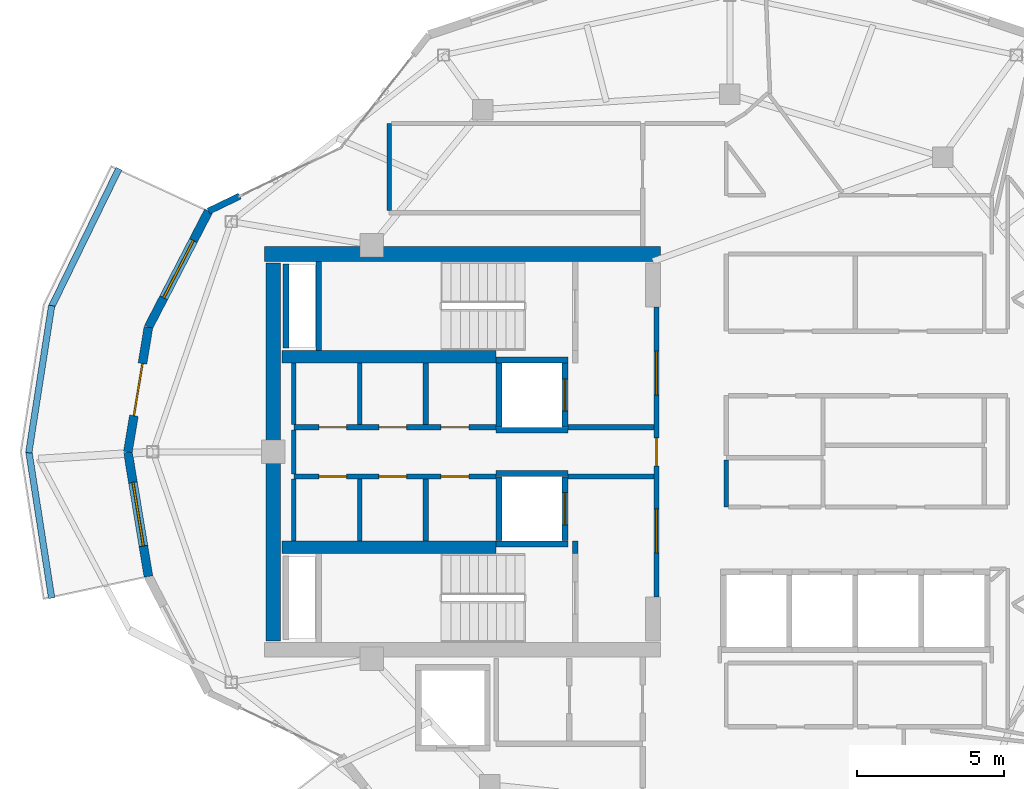
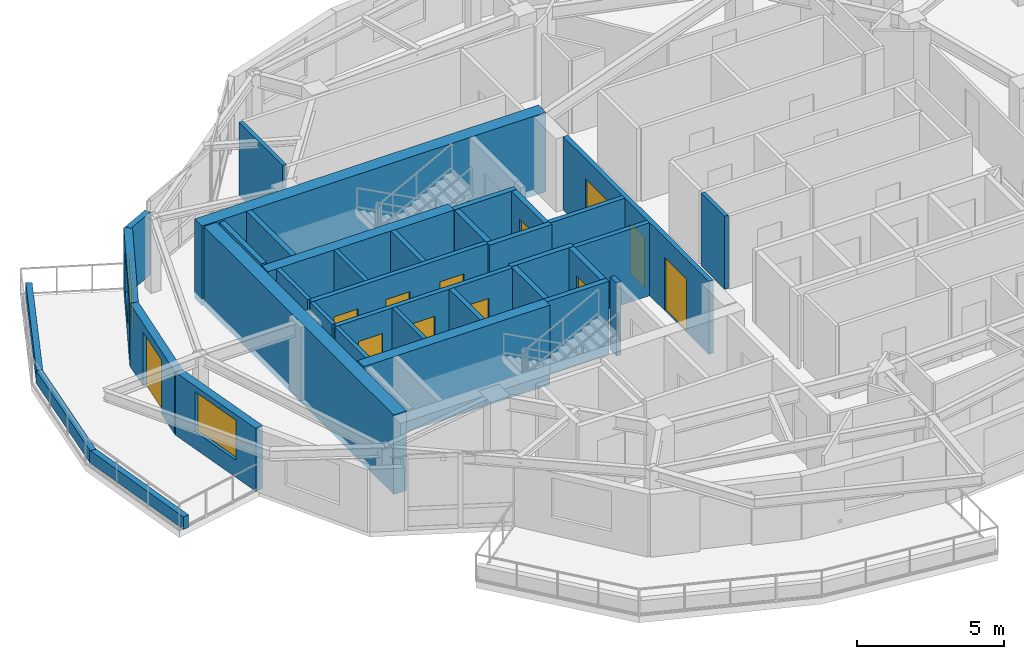
# One storey, part 9 of 14: 36 walls, 12 doors, 2 windows, 14 openings.
"""IFC4 building model written with IfcOpenShell, lengths in metres."""

from ifc_helpers import new_model, si_unit, direction, frame, frame_2d, origin, place, context, subcontext, project, spatial, rectangle, extrude, material, layer, layer_set, type_object, element, fill, save


model = new_model("IFC4")

# Units and contexts
model_context = context("Model", 3, precision=1e-05, world=origin(), true_north=direction((0.0, 1.0)))
body_context = subcontext(model_context, "Body", "Model", "MODEL_VIEW")
ifc_project = project(units=[si_unit("LENGTHUNIT", "METRE"), si_unit("AREAUNIT", "SQUARE_METRE"), si_unit("VOLUMEUNIT", "CUBIC_METRE"), si_unit("PLANEANGLEUNIT", "RADIAN"), si_unit("MASSUNIT", "GRAM", prefix="KILO")], contexts=[model_context])

# Site, building, storey
site_placement = place(None, origin())
site = spatial("IfcSite", under=ifc_project, at=site_placement, CompositionType="ELEMENT")
building_placement = place(site_placement, origin())
building = spatial("IfcBuilding", under=site, at=building_placement, Name="Kolvaren Gate Tower and Convention Centre", CompositionType="ELEMENT")
storey_placement = place(building_placement, frame((0.0, 0.0, 259.10009765625)))
storey = spatial("IfcBuildingStorey", under=building, at=storey_placement, Name="L70", CompositionType="ELEMENT", Elevation=259.10009765625)

# Wall
ifc_material_1 = material(Name="Autoclaved Aerated Masonry Blockwork Class 4 (4.0 MPa)", Category="masonry")
ifc_layer_1 = layer(ifc_material_1, 0.179931640625)
ifc_layer_set_1 = layer_set([ifc_layer_1], Name="Autoclaved Aerated Masonry Blockwork Class 4 (4.0 MPa)")
wall_type_1 = type_object("IfcWallType", Name="ARCH-WL-COMP-180", PredefinedType="SOLIDWALL", material=ifc_layer_set_1)
wall_1_placement = place(storey_placement, frame((24.85009765625, 23.5400390625, 0.0), z_axis=(0.0, 0.0, 1.0), x_axis=(0.0, 1.0, 0.0)))
element("IfcWall", 1, at=wall_1_placement, inside=storey, type_object=wall_type_1, Name="Interior Partition WL-L70-INT-001", PredefinedType="SOLIDWALL", context=body_context, shape_type="SweptSolid", body=[
    extrude(rectangle(XDim=0.419921875, YDim=0.179931640625, at=frame_2d((0.2099609375, 0.0))), origin(), (0.0, 0.0, 1.0), 3.02978515625),
])

# Wall, openings, doors
wall_2_placement = place(storey_placement, frame((27.6201171875, 22.050048828125, 0.0), z_axis=(0.0, 0.0, 1.0), x_axis=(0.0, 1.0, 0.0)))
wall_2 = element("IfcWall", 2, at=wall_2_placement, inside=storey, type_object=wall_type_1, Name="Interior Partition WL-L70-INT-003", PredefinedType="SOLIDWALL", context=body_context, shape_type="SweptSolid", body=[
    extrude(rectangle(XDim=9.89990234375, YDim=0.179931640625, at=frame_2d((4.949951171875, 0.0))), origin(), (0.0, 0.0, 1.0), 3.02978515625),
])
opening_1_placement = place(wall_2_placement, frame((4.47509765625, 0.0, 0.0)))
opening_1 = element("IfcOpeningElement", 3, at=opening_1_placement, cuts=wall_2, Name="Opening DR-01", PredefinedType="OPENING", context=body_context, shape_type="SweptSolid", body=[
    extrude(rectangle(XDim=0.949951171875, YDim=2.10009765625, at=frame_2d((0.47509765625, 1.050048828125))), frame((0.0, 0.099853515625, 0.0), z_axis=(0.0, -1.0, 0.0), x_axis=(1.0, 0.0, 0.0)), (0.0, 0.0, 1.0), 0.199951171875),
])
opening_2_placement = place(wall_2_placement, frame((6.889892578125, 0.0, 0.0)))
opening_2 = element("IfcOpeningElement", 4, at=opening_2_placement, cuts=wall_2, Name="Opening DL-01", PredefinedType="OPENING", context=body_context, shape_type="SweptSolid", body=[
    extrude(rectangle(XDim=1.5, YDim=2.199951171875, at=frame_2d((0.75, 1.10009765625))), frame((0.0, 0.099853515625, 0.0), z_axis=(0.0, -1.0, 0.0), x_axis=(1.0, 0.0, 0.0)), (0.0, 0.0, 1.0), 0.199951171875),
])
opening_3_placement = place(wall_2_placement, frame((1.510009765625, 0.0, 0.0)))
opening_3 = element("IfcOpeningElement", 5, at=opening_3_placement, cuts=wall_2, Name="Opening DL-01", PredefinedType="OPENING", context=body_context, shape_type="SweptSolid", body=[
    extrude(rectangle(XDim=1.5, YDim=2.199951171875, at=frame_2d((0.75, 1.10009765625))), frame((0.0, 0.099853515625, 0.0), z_axis=(0.0, -1.0, 0.0), x_axis=(1.0, 0.0, 0.0)), (0.0, 0.0, 1.0), 0.199951171875),
])
ifc_material_2 = material(Name="Painted Architectural Steelwork ASTM A500 Grade C 345 MPa", Category="steel")
door_type_1 = type_object("IfcDoorType", Name="ARCH-DR-LOBBY-1500", OperationType="DOUBLE_DOOR_SINGLE_SWING", PredefinedType="DOOR", material=ifc_material_2)
door_1_placement = place(opening_2_placement, origin())
door_1 = element("IfcDoor", 6, at=door_1_placement, inside=storey, type_object=door_type_1, Name="North Firefighting Stair and Lift Lobby Door", OperationType="DOUBLE_DOOR_SINGLE_SWING", OverallHeight=2.199951171875, OverallWidth=1.5, PredefinedType="DOOR", context=body_context, shape_type="SweptSolid", body=[
    extrude(rectangle(XDim=1.5, YDim=2.199951171875, at=frame_2d((0.75, 1.10009765625))), frame((0.0, 0.02490234375, 0.0), z_axis=(0.0, -1.0, 0.0), x_axis=(1.0, 0.0, 0.0)), (0.0, 0.0, 1.0), 0.050048828125),
])
fill(opening_2, door_1)
door_2_placement = place(opening_3_placement, origin())
door_2 = element("IfcDoor", 7, at=door_2_placement, inside=storey, type_object=door_type_1, Name="South Firefighting Stair and Lift Lobby Door", OperationType="DOUBLE_DOOR_SINGLE_SWING", OverallHeight=2.199951171875, OverallWidth=1.5, PredefinedType="DOOR", context=body_context, shape_type="SweptSolid", body=[
    extrude(rectangle(XDim=1.5, YDim=2.199951171875, at=frame_2d((0.75, 1.10009765625))), frame((0.0, 0.02490234375, 0.0), z_axis=(0.0, -1.0, 0.0), x_axis=(1.0, 0.0, 0.0)), (0.0, 0.0, 1.0), 0.050048828125),
])
fill(opening_3, door_2)
door_type_2 = type_object("IfcDoorType", Name="ARCH-DR-RISER-950", OperationType="SINGLE_SWING_RIGHT", PredefinedType="DOOR", material=ifc_material_2)
door_3_placement = place(opening_1_placement, origin())
door_3 = element("IfcDoor", 8, at=door_3_placement, inside=storey, type_object=door_type_2, Name="Central MEP Service Corridor Door", OperationType="SINGLE_SWING_LEFT", OverallHeight=2.10009765625, OverallWidth=0.949951171875, PredefinedType="DOOR", context=body_context, shape_type="SweptSolid", body=[
    extrude(rectangle(XDim=0.949951171875, YDim=2.10009765625, at=frame_2d((0.47509765625, 1.050048828125))), frame((0.0, 0.02490234375, 0.0), z_axis=(0.0, -1.0, 0.0), x_axis=(1.0, 0.0, 0.0)), (0.0, 0.0, 1.0), 0.050048828125),
])
fill(opening_1, door_3)

wall_3_placement = place(storey_placement, frame((15.25, 27.840087890625, 0.0), z_axis=(0.0, 0.0, 1.0), x_axis=(1.0, 0.0, 0.0)))
wall_3 = element("IfcWall", 9, at=wall_3_placement, inside=storey, type_object=wall_type_1, Name="Interior Partition WL-L70-INT-004", PredefinedType="SOLIDWALL", context=body_context, shape_type="SweptSolid", body=[
    extrude(rectangle(XDim=6.89990234375, YDim=0.179931640625, at=frame_2d((3.449951171875, 0.0))), origin(), (0.0, 0.0, 1.0), 3.02978515625),
])
opening_4_placement = place(wall_3_placement, frame((5.02001953125, 0.0, 0.0)))
opening_4 = element("IfcOpeningElement", 10, at=opening_4_placement, cuts=wall_3, Name="Opening DR-01", PredefinedType="OPENING", context=body_context, shape_type="SweptSolid", body=[
    extrude(rectangle(XDim=0.949951171875, YDim=2.10009765625, at=frame_2d((0.47509765625, 1.050048828125))), frame((0.0, 0.099853515625, 0.0), z_axis=(0.0, -1.0, 0.0), x_axis=(1.0, 0.0, 0.0)), (0.0, 0.0, 1.0), 0.199951171875),
])
opening_5_placement = place(wall_3_placement, frame((0.85498046875, 0.0, 0.0)))
opening_5 = element("IfcOpeningElement", 11, at=opening_5_placement, cuts=wall_3, Name="Opening DR-01", PredefinedType="OPENING", context=body_context, shape_type="SweptSolid", body=[
    extrude(rectangle(XDim=0.949951171875, YDim=2.10009765625, at=frame_2d((0.47509765625, 1.050048828125))), frame((0.0, 0.099853515625, 0.0), z_axis=(0.0, -1.0, 0.0), x_axis=(1.0, 0.0, 0.0)), (0.0, 0.0, 1.0), 0.199951171875),
])
opening_6_placement = place(wall_3_placement, frame((2.89990234375, 0.0, 0.0)))
opening_6 = element("IfcOpeningElement", 12, at=opening_6_placement, cuts=wall_3, Name="Opening DR-01", PredefinedType="OPENING", context=body_context, shape_type="SweptSolid", body=[
    extrude(rectangle(XDim=0.949951171875, YDim=2.10009765625, at=frame_2d((0.47509765625, 1.050048828125))), frame((0.0, 0.099853515625, 0.0), z_axis=(0.0, -1.0, 0.0), x_axis=(1.0, 0.0, 0.0)), (0.0, 0.0, 1.0), 0.199951171875),
])
door_4_placement = place(opening_4_placement, origin())
door_4 = element("IfcDoor", 13, at=door_4_placement, inside=storey, type_object=door_type_2, Name="Electrical Switchgear Closet Door", OperationType="SINGLE_SWING_RIGHT", OverallHeight=2.10009765625, OverallWidth=0.949951171875, PredefinedType="DOOR", context=body_context, shape_type="SweptSolid", body=[
    extrude(rectangle(XDim=0.949951171875, YDim=2.10009765625, at=frame_2d((0.47509765625, 1.050048828125))), frame((0.0, 0.02490234375, 0.0), z_axis=(0.0, -1.0, 0.0), x_axis=(1.0, 0.0, 0.0)), (0.0, 0.0, 1.0), 0.050048828125),
])
fill(opening_4, door_4)
door_5_placement = place(opening_5_placement, origin())
door_5 = element("IfcDoor", 14, at=door_5_placement, inside=storey, type_object=door_type_2, Name="Staff Accessible WC Door", OperationType="SINGLE_SWING_RIGHT", OverallHeight=2.10009765625, OverallWidth=0.949951171875, PredefinedType="DOOR", context=body_context, shape_type="SweptSolid", body=[
    extrude(rectangle(XDim=0.949951171875, YDim=2.10009765625, at=frame_2d((0.47509765625, 1.050048828125))), frame((0.0, 0.02490234375, 0.0), z_axis=(0.0, -1.0, 0.0), x_axis=(1.0, 0.0, 0.0)), (0.0, 0.0, 1.0), 0.050048828125),
])
fill(opening_5, door_5)
door_6_placement = place(opening_6_placement, origin())
door_6 = element("IfcDoor", 15, at=door_6_placement, inside=storey, type_object=door_type_2, Name="Housekeeping Sink Closet Door", OperationType="SINGLE_SWING_LEFT", OverallHeight=2.10009765625, OverallWidth=0.949951171875, PredefinedType="DOOR", context=body_context, shape_type="SweptSolid", body=[
    extrude(rectangle(XDim=0.949951171875, YDim=2.10009765625, at=frame_2d((0.47509765625, 1.050048828125))), frame((0.0, 0.02490234375, 0.0), z_axis=(0.0, -1.0, 0.0), x_axis=(1.0, 0.0, 0.0)), (0.0, 0.0, 1.0), 0.050048828125),
])
fill(opening_6, door_6)

# Wall
wall_4_placement = place(storey_placement, frame((24.60009765625, 27.840087890625, 0.0), z_axis=(0.0, 0.0, 1.0), x_axis=(1.0, 0.0, 0.0)))
element("IfcWall", 16, at=wall_4_placement, inside=storey, type_object=wall_type_1, Name="Interior Partition WL-L70-INT-004 (2)", PredefinedType="SOLIDWALL", context=body_context, shape_type="SweptSolid", body=[
    extrude(rectangle(XDim=2.927978515625, YDim=0.179931640625, at=frame_2d((1.4638671875, 0.0))), origin(), (0.0, 0.0, 1.0), 3.02978515625),
])

# Wall, openings, doors
wall_5_placement = place(storey_placement, frame((15.25, 26.159912109375, 0.0), z_axis=(0.0, 0.0, 1.0), x_axis=(1.0, 0.0, 0.0)))
wall_5 = element("IfcWall", 17, at=wall_5_placement, inside=storey, type_object=wall_type_1, Name="Interior Partition WL-L70-INT-005", PredefinedType="SOLIDWALL", context=body_context, shape_type="SweptSolid", body=[
    extrude(rectangle(XDim=6.89990234375, YDim=0.179931640625, at=frame_2d((3.449951171875, 0.0))), origin(), (0.0, 0.0, 1.0), 3.02978515625),
])
opening_7_placement = place(wall_5_placement, frame((5.02001953125, 0.0, 0.0)))
opening_7 = element("IfcOpeningElement", 18, at=opening_7_placement, cuts=wall_5, Name="Opening DR-01", PredefinedType="OPENING", context=body_context, shape_type="SweptSolid", body=[
    extrude(rectangle(XDim=0.949951171875, YDim=2.10009765625, at=frame_2d((0.47509765625, 1.050048828125))), frame((0.0, 0.099853515625, 0.0), z_axis=(0.0, -1.0, 0.0), x_axis=(1.0, 0.0, 0.0)), (0.0, 0.0, 1.0), 0.199951171875),
])
opening_8_placement = place(wall_5_placement, frame((0.85498046875, 0.0, 0.0)))
opening_8 = element("IfcOpeningElement", 19, at=opening_8_placement, cuts=wall_5, Name="Opening DR-01", PredefinedType="OPENING", context=body_context, shape_type="SweptSolid", body=[
    extrude(rectangle(XDim=0.949951171875, YDim=2.10009765625, at=frame_2d((0.47509765625, 1.050048828125))), frame((0.0, 0.099853515625, 0.0), z_axis=(0.0, -1.0, 0.0), x_axis=(1.0, 0.0, 0.0)), (0.0, 0.0, 1.0), 0.199951171875),
])
opening_9_placement = place(wall_5_placement, frame((2.89990234375, 0.0, 0.0)))
opening_9 = element("IfcOpeningElement", 20, at=opening_9_placement, cuts=wall_5, Name="Opening DR-01", PredefinedType="OPENING", context=body_context, shape_type="SweptSolid", body=[
    extrude(rectangle(XDim=0.949951171875, YDim=2.10009765625, at=frame_2d((0.47509765625, 1.050048828125))), frame((0.0, 0.099853515625, 0.0), z_axis=(0.0, -1.0, 0.0), x_axis=(1.0, 0.0, 0.0)), (0.0, 0.0, 1.0), 0.199951171875),
])
door_7_placement = place(opening_7_placement, origin())
door_7 = element("IfcDoor", 21, at=door_7_placement, inside=storey, type_object=door_type_2, Name="Domestic Water Meter Closet Door", OperationType="SINGLE_SWING_LEFT", OverallHeight=2.10009765625, OverallWidth=0.949951171875, PredefinedType="DOOR", context=body_context, shape_type="SweptSolid", body=[
    extrude(rectangle(XDim=0.949951171875, YDim=2.10009765625, at=frame_2d((0.47509765625, 1.050048828125))), frame((0.0, 0.02490234375, 0.0), z_axis=(0.0, -1.0, 0.0), x_axis=(1.0, 0.0, 0.0)), (0.0, 0.0, 1.0), 0.050048828125),
])
fill(opening_7, door_7)
door_8_placement = place(opening_8_placement, origin())
door_8 = element("IfcDoor", 22, at=door_8_placement, inside=storey, type_object=door_type_2, Name="Beverage Service Pantry Door", OperationType="SINGLE_SWING_RIGHT", OverallHeight=2.10009765625, OverallWidth=0.949951171875, PredefinedType="DOOR", context=body_context, shape_type="SweptSolid", body=[
    extrude(rectangle(XDim=0.949951171875, YDim=2.10009765625, at=frame_2d((0.47509765625, 1.050048828125))), frame((0.0, 0.02490234375, 0.0), z_axis=(0.0, -1.0, 0.0), x_axis=(1.0, 0.0, 0.0)), (0.0, 0.0, 1.0), 0.050048828125),
])
fill(opening_8, door_8)
door_9_placement = place(opening_9_placement, origin())
door_9 = element("IfcDoor", 23, at=door_9_placement, inside=storey, type_object=door_type_2, Name="Archive Supply Closet Door", OperationType="SINGLE_SWING_LEFT", OverallHeight=2.10009765625, OverallWidth=0.949951171875, PredefinedType="DOOR", context=body_context, shape_type="SweptSolid", body=[
    extrude(rectangle(XDim=0.949951171875, YDim=2.10009765625, at=frame_2d((0.47509765625, 1.050048828125))), frame((0.0, 0.02490234375, 0.0), z_axis=(0.0, -1.0, 0.0), x_axis=(1.0, 0.0, 0.0)), (0.0, 0.0, 1.0), 0.050048828125),
])
fill(opening_9, door_9)

# Walls
wall_6_placement = place(storey_placement, frame((24.60009765625, 26.159912109375, 0.0), z_axis=(0.0, 0.0, 1.0), x_axis=(1.0, 0.0, 0.0)))
element("IfcWall", 24, at=wall_6_placement, inside=storey, type_object=wall_type_1, Name="Interior Partition WL-L70-INT-005 (2)", PredefinedType="SOLIDWALL", context=body_context, shape_type="SweptSolid", body=[
    extrude(rectangle(XDim=2.927978515625, YDim=0.179931640625, at=frame_2d((1.4638671875, 0.0))), origin(), (0.0, 0.0, 1.0), 3.02978515625),
])
for number, where, z_axis, x_axis, name in (
    (25, (19.75, 23.9619140625, 0.0), (0.0, 0.0, 1.0), (0.0, 1.0, 0.0), "Interior Partition WL-L70-INT-007"),
    (26, (19.75, 27.931884765625, 0.0), (0.0, 0.0, 1.0), (0.0, 1.0, 0.0), "Interior Partition WL-L70-INT-008"),
):
    element("IfcWall", number, at=place(storey_placement, frame(where, z_axis=z_axis, x_axis=x_axis)), inside=storey, type_object=wall_type_1, Name=name, PredefinedType="SOLIDWALL", context=body_context, shape_type="SweptSolid", body=[
        extrude(rectangle(XDim=2.106201171875, YDim=0.179931640625, at=frame_2d((1.05322265625, 0.0))), origin(), (0.0, 0.0, 1.0), 3.02978515625),
    ])
ifc_material_3 = material(Name="Bogota Sabana Bush-Hammered Sandstone Cladding", Category="masonry")
ifc_layer_2 = layer(ifc_material_3, 0.219970703125)
ifc_layer_set_2 = layer_set([ifc_layer_2], Name="Bogota Sabana Bush-Hammered Sandstone Cladding")
wall_type_2 = type_object("IfcWallType", Name="ARCH-WL-PIER-220", PredefinedType="SOLIDWALL", material=ifc_layer_set_2)
wall_7_placement = place(storey_placement, frame((12.344482421875, 35.21240234375, 0.0), z_axis=(0.0, 0.0, 1.0), x_axis=(0.901264843027, 0.433268603437, 0.0)))
element("IfcWall", 27, at=wall_7_placement, inside=storey, type_object=wall_type_2, Name="Tower L70 Unitised Curtain Wall CW-RES-UNIT Bay 09 Left Column Pier Wrap", PredefinedType="SOLIDWALL", context=body_context, shape_type="SweptSolid", body=[
    extrude(rectangle(XDim=1.18115234375, YDim=0.219970703125, at=frame_2d((0.590576171875, 0.0))), origin(), (0.0, 0.0, 1.0), 2.60498046875),
])
ifc_material_4 = material(Name="Piedmont Cream Honed Limestone Cladding", Category="masonry")
ifc_layer_3 = layer(ifc_material_4, 0.219970703125)
ifc_layer_set_3 = layer_set([ifc_layer_3], Name="Piedmont Cream Honed Limestone Cladding")
wall_type_3 = type_object("IfcWallType", Name="ARCH-WL-PLANTER-220", PredefinedType="PARAPET", material=ifc_layer_set_3)
wall_8_placement = place(storey_placement, frame((6.98046875, 31.929931640625, 0.0), z_axis=(0.0, 0.0, 1.0), x_axis=(0.438469339137, 0.898746148051, 0.0)))
element("IfcWall", 28, at=wall_8_placement, inside=storey, type_object=wall_type_3, Name="Vertical-Forest Balcony Stone Planter Kerb PK-L70-2.1", PredefinedType="PARAPET", context=body_context, shape_type="SweptSolid", body=[
    extrude(rectangle(XDim=5.26171875, YDim=0.219970703125, at=frame_2d((2.630859375, 0.0))), origin(), (0.0, 0.0, 1.0), 0.52001953125),
])
for number, where, z_axis, x_axis, name in (
    (29, (6.21240234375, 26.970703125, 0.0), (0.0, 0.0, 1.0), (0.15374038442, 0.988111276223, 0.0), "Vertical-Forest Balcony Stone Planter Kerb PK-L70-2.2"),
    (30, (6.21240234375, 27.029296875, 0.0), (0.0, 0.0, 1.0), (0.15374038442, -0.988111276223, 0.0), "Vertical-Forest Balcony Stone Planter Kerb PK-L70-2.3"),
):
    element("IfcWall", number, at=place(storey_placement, frame(where, z_axis=z_axis, x_axis=x_axis)), inside=storey, type_object=wall_type_3, Name=name, PredefinedType="PARAPET", context=body_context, shape_type="SweptSolid", body=[
        extrude(rectangle(XDim=5.078369140625, YDim=0.219970703125, at=frame_2d((2.5390625, 0.0))), origin(), (0.0, 0.0, 1.0), 0.52001953125),
    ])
ifc_layer_4 = layer(ifc_material_1, 0.199951171875)
ifc_layer_set_4 = layer_set([ifc_layer_4], Name="Autoclaved Aerated Masonry Blockwork Class 4 (4.0 MPa)")
wall_type_4 = type_object("IfcWallType", Name="ARCH-WL-SHAFT-200", PredefinedType="SOLIDWALL", material=ifc_layer_set_4)
for number, where, z_axis, x_axis, name in (
    (31, (22.14990234375, 30.139892578125, 0.0), (0.0, 0.0, 1.0), (1.0, 0.0, 0.0), "Elevator FF-01 L70 Fire Shaft Wall N"),
    (32, (22.14990234375, 27.739990234375, 0.0), (0.0, 0.0, 1.0), (1.0, 0.0, 0.0), "Elevator FF-01 L70 Fire Shaft Wall S"),
):
    element("IfcWall", number, at=place(storey_placement, frame(where, z_axis=z_axis, x_axis=x_axis)), inside=storey, type_object=wall_type_4, Name=name, PredefinedType="SOLIDWALL", context=body_context, shape_type="SweptSolid", body=[
        extrude(rectangle(XDim=2.4501953125, YDim=0.199951171875, at=frame_2d((1.22509765625, 0.0))), origin(), (0.0, 0.0, 1.0), 3.02978515625),
    ])
wall_9_placement = place(storey_placement, frame((22.25, 27.85009765625, 0.0), z_axis=(0.0, 0.0, 1.0), x_axis=(0.0, 1.0, 0.0)))
element("IfcWall", 33, at=wall_9_placement, inside=storey, type_object=wall_type_4, Name="Elevator FF-01 L70 Fire Shaft Wall W", PredefinedType="SOLIDWALL", context=body_context, shape_type="SweptSolid", body=[
    extrude(rectangle(XDim=2.179931640625, YDim=0.199951171875, at=frame_2d((1.08984375, 0.0))), origin(), (0.0, 0.0, 1.0), 3.02978515625),
])

# Wall, opening, door
wall_10_placement = place(storey_placement, frame((24.5, 27.85009765625, 0.0), z_axis=(0.0, 0.0, 1.0), x_axis=(0.0, 1.0, 0.0)))
wall_10 = element("IfcWall", 34, at=wall_10_placement, inside=storey, type_object=wall_type_4, Name="Elevator FF-01 L70 Fire Shaft Wall E", PredefinedType="SOLIDWALL", context=body_context, shape_type="SweptSolid", body=[
    extrude(rectangle(XDim=2.179931640625, YDim=0.199951171875, at=frame_2d((1.08984375, 0.0))), origin(), (0.0, 0.0, 1.0), 3.02978515625),
])
opening_10_placement = place(wall_10_placement, frame((0.5400390625, 0.0, 0.0)))
opening_10 = element("IfcOpeningElement", 35, at=opening_10_placement, cuts=wall_10, Name="Opening LD", PredefinedType="OPENING", context=body_context, shape_type="SweptSolid", body=[
    extrude(rectangle(XDim=1.10009765625, YDim=2.199951171875, at=frame_2d((0.550048828125, 1.10009765625))), frame((0.0, 0.10986328125, 0.0), z_axis=(0.0, -1.0, 0.0), x_axis=(1.0, 0.0, 0.0)), (0.0, 0.0, 1.0), 0.219970703125),
])
ifc_material_5 = material(Name="Brushed Stainless Steel Grade 316L", Category="steel")
door_type_3 = type_object("IfcDoorType", Name="ARCH-DR-LIFT-1100", OperationType="SLIDING_TO_LEFT", PredefinedType="DOOR", material=ifc_material_5)
door_10_placement = place(opening_10_placement, origin())
door_10 = element("IfcDoor", 36, at=door_10_placement, inside=storey, type_object=door_type_3, Name="Elevator FF-01 L70 Sliding Landing Door", OperationType="SLIDING_TO_LEFT", OverallHeight=2.199951171875, OverallWidth=1.10009765625, PredefinedType="DOOR", context=body_context, shape_type="SweptSolid", body=[
    extrude(rectangle(XDim=1.10009765625, YDim=2.199951171875, at=frame_2d((0.550048828125, 1.10009765625))), frame((0.0, 0.02490234375, 0.0), z_axis=(0.0, -1.0, 0.0), x_axis=(1.0, 0.0, 0.0)), (0.0, 0.0, 1.0), 0.050048828125),
])
fill(opening_10, door_10)

# Walls
for number, where, z_axis, x_axis, name in (
    (37, (22.14990234375, 26.260009765625, 0.0), (0.0, 0.0, 1.0), (1.0, 0.0, 0.0), "Elevator FF-02 L70 Fire Shaft Wall N"),
    (38, (22.14990234375, 23.860107421875, 0.0), (0.0, 0.0, 1.0), (1.0, 0.0, 0.0), "Elevator FF-02 L70 Fire Shaft Wall S"),
):
    element("IfcWall", number, at=place(storey_placement, frame(where, z_axis=z_axis, x_axis=x_axis)), inside=storey, type_object=wall_type_4, Name=name, PredefinedType="SOLIDWALL", context=body_context, shape_type="SweptSolid", body=[
        extrude(rectangle(XDim=2.4501953125, YDim=0.199951171875, at=frame_2d((1.22509765625, 0.0))), origin(), (0.0, 0.0, 1.0), 3.02978515625),
    ])
wall_11_placement = place(storey_placement, frame((22.25, 23.969970703125, 0.0), z_axis=(0.0, 0.0, 1.0), x_axis=(0.0, 1.0, 0.0)))
element("IfcWall", 39, at=wall_11_placement, inside=storey, type_object=wall_type_4, Name="Elevator FF-02 L70 Fire Shaft Wall W", PredefinedType="SOLIDWALL", context=body_context, shape_type="SweptSolid", body=[
    extrude(rectangle(XDim=2.179931640625, YDim=0.199951171875, at=frame_2d((1.08984375, 0.0))), origin(), (0.0, 0.0, 1.0), 3.02978515625),
])

# Wall, opening, door
wall_12_placement = place(storey_placement, frame((24.5, 23.969970703125, 0.0), z_axis=(0.0, 0.0, 1.0), x_axis=(0.0, 1.0, 0.0)))
wall_12 = element("IfcWall", 40, at=wall_12_placement, inside=storey, type_object=wall_type_4, Name="Elevator FF-02 L70 Fire Shaft Wall E", PredefinedType="SOLIDWALL", context=body_context, shape_type="SweptSolid", body=[
    extrude(rectangle(XDim=2.179931640625, YDim=0.199951171875, at=frame_2d((1.08984375, 0.0))), origin(), (0.0, 0.0, 1.0), 3.02978515625),
])
opening_11_placement = place(wall_12_placement, frame((0.5400390625, 0.0, 0.0)))
opening_11 = element("IfcOpeningElement", 41, at=opening_11_placement, cuts=wall_12, Name="Opening LD", PredefinedType="OPENING", context=body_context, shape_type="SweptSolid", body=[
    extrude(rectangle(XDim=1.10009765625, YDim=2.199951171875, at=frame_2d((0.550048828125, 1.10009765625))), frame((0.0, 0.10986328125, 0.0), z_axis=(0.0, -1.0, 0.0), x_axis=(1.0, 0.0, 0.0)), (0.0, 0.0, 1.0), 0.219970703125),
])
door_11_placement = place(opening_11_placement, origin())
door_11 = element("IfcDoor", 42, at=door_11_placement, inside=storey, type_object=door_type_3, Name="Elevator FF-02 L70 Sliding Landing Door", OperationType="SLIDING_TO_LEFT", OverallHeight=2.199951171875, OverallWidth=1.10009765625, PredefinedType="DOOR", context=body_context, shape_type="SweptSolid", body=[
    extrude(rectangle(XDim=1.10009765625, YDim=2.199951171875, at=frame_2d((0.550048828125, 1.10009765625))), frame((0.0, 0.02490234375, 0.0), z_axis=(0.0, -1.0, 0.0), x_axis=(1.0, 0.0, 0.0)), (0.0, 0.0, 1.0), 0.050048828125),
])
fill(opening_11, door_11)

# Wall
wall_13_placement = place(storey_placement, frame((14.989990234375, 30.550048828125, 0.0), z_axis=(0.0, 0.0, 1.0), x_axis=(0.0, 1.0, 0.0)))
element("IfcWall", 43, at=wall_13_placement, inside=storey, type_object=wall_type_4, Name="Vertical Shaft HVR L70 EI-120 Enclosure Wall W", PredefinedType="SOLIDWALL", context=body_context, shape_type="SweptSolid", body=[
    extrude(rectangle(XDim=2.849853515625, YDim=0.199951171875, at=frame_2d((1.4248046875, 0.0))), origin(), (0.0, 0.0, 1.0), 3.02978515625),
])

# Wall, opening, window
ifc_layer_5 = layer(ifc_material_4, 0.300048828125)
ifc_layer_set_5 = layer_set([ifc_layer_5], Name="Piedmont Cream Honed Limestone Cladding")
wall_type_5 = type_object("IfcWallType", Name="ARCH-WL-STONE-300", PredefinedType="SOLIDWALL", material=ifc_layer_set_5)
wall_14_placement = place(storey_placement, frame((10.29345703125, 31.251220703125, 0.0), z_axis=(0.0, 0.0, 1.0), x_axis=(0.459801070243, 0.888021945564, 0.0)))
wall_14 = element("IfcWall", 44, at=wall_14_placement, inside=storey, type_object=wall_type_5, Name="Tower L70 Honed Stone Spandrel Wall EW-10", PredefinedType="SOLIDWALL", context=body_context, shape_type="SweptSolid", body=[
    extrude(rectangle(XDim=4.460693359375, YDim=0.300048828125, at=frame_2d((2.23046875, 0.0))), origin(), (0.0, 0.0, 1.0), 2.60498046875),
])
opening_12_placement = place(wall_14_placement, frame((1.1298828125, 0.0, 0.719970703125)))
opening_12 = element("IfcOpeningElement", 45, at=opening_12_placement, cuts=wall_14, Name="Opening W-03", PredefinedType="OPENING", context=body_context, shape_type="SweptSolid", body=[
    extrude(rectangle(XDim=2.199951171875, YDim=1.64990234375, at=frame_2d((1.10009765625, 0.824951171875))), frame((0.0, 0.159912109375, 0.0), z_axis=(0.0, -1.0, 0.0), x_axis=(1.0, 0.0, 0.0)), (0.0, 0.0, 1.0), 0.320068359375),
])
ifc_material_6 = material(Name="Low-E Triple Insulated Glazing Unit 44 mm", Category="glass")
window_type = type_object("IfcWindowType", Name="ARCH-WN-RES-2200", PartitioningType="SINGLE_PANEL", PredefinedType="WINDOW", material=ifc_material_6)
window_1_placement = place(opening_12_placement, origin())
window_1 = element("IfcWindow", 46, at=window_1_placement, inside=storey, type_object=window_type, Name="Tower L70 Punched Stone Facade Window W-10", OverallHeight=1.64990234375, OverallWidth=2.199951171875, PartitioningType="SINGLE_PANEL", PredefinedType="WINDOW", context=body_context, shape_type="SweptSolid", body=[
    extrude(rectangle(XDim=2.199951171875, YDim=1.64990234375, at=frame_2d((1.10009765625, 0.824951171875))), frame((0.0, 0.030029296875, 0.0), z_axis=(0.0, -1.0, 0.0), x_axis=(1.0, 0.0, 0.0)), (0.0, 0.0, 1.0), 0.06005859375),
])
fill(opening_12, window_1)

# Wall, opening, door
wall_15_placement = place(storey_placement, frame((9.59375, 27.0, 0.0), z_axis=(0.0, 0.0, 1.0), x_axis=(0.162404622434, 0.98672424649, 0.0)))
wall_15 = element("IfcWall", 47, at=wall_15_placement, inside=storey, type_object=wall_type_5, Name="Tower L70 Honed Stone Spandrel Wall EW-11", PredefinedType="SOLIDWALL", context=body_context, shape_type="SweptSolid", body=[
    extrude(rectangle(XDim=4.308349609375, YDim=0.300048828125, at=frame_2d((2.154296875, 0.0))), origin(), (0.0, 0.0, 1.0), 2.60498046875),
])
opening_13_placement = place(wall_15_placement, frame((1.25390625, 0.0, 0.0)))
opening_13 = element("IfcOpeningElement", 48, at=opening_13_placement, cuts=wall_15, Name="Opening DB-01", PredefinedType="OPENING", context=body_context, shape_type="SweptSolid", body=[
    extrude(rectangle(XDim=1.800048828125, YDim=2.25, at=frame_2d((0.89990234375, 1.125))), frame((0.0, 0.159912109375, 0.0), z_axis=(0.0, -1.0, 0.0), x_axis=(1.0, 0.0, 0.0)), (0.0, 0.0, 1.0), 0.320068359375),
])
ifc_material_7 = material(Name="Anodized Architectural Aluminium Alloy 6063-T6", Category="aluminium")
door_type_4 = type_object("IfcDoorType", Name="ARCH-DR-BALC-1800", OperationType="SLIDING_TO_LEFT", PredefinedType="DOOR", material=ifc_material_7)
door_12_placement = place(opening_13_placement, origin())
door_12 = element("IfcDoor", 49, at=door_12_placement, inside=storey, type_object=door_type_4, Name="Planted Sky Terrace Access Door DB-L70-11", OperationType="SLIDING_TO_LEFT", OverallHeight=2.25, OverallWidth=1.800048828125, PredefinedType="DOOR", context=body_context, shape_type="SweptSolid", body=[
    extrude(rectangle(XDim=1.800048828125, YDim=2.25, at=frame_2d((0.89990234375, 1.125))), frame((0.0, 0.02490234375, 0.0), z_axis=(0.0, -1.0, 0.0), x_axis=(1.0, 0.0, 0.0)), (0.0, 0.0, 1.0), 0.050048828125),
])
fill(opening_13, door_12)

# Wall, opening, window
wall_16_placement = place(storey_placement, frame((9.59375, 27.0, 0.0), z_axis=(0.0, 0.0, 1.0), x_axis=(0.162404622434, -0.98672424649, 0.0)))
wall_16 = element("IfcWall", 50, at=wall_16_placement, inside=storey, type_object=wall_type_5, Name="Tower L70 Honed Stone Spandrel Wall EW-12", PredefinedType="SOLIDWALL", context=body_context, shape_type="SweptSolid", body=[
    extrude(rectangle(XDim=4.308349609375, YDim=0.300048828125, at=frame_2d((2.154296875, 0.0))), origin(), (0.0, 0.0, 1.0), 2.60498046875),
])
opening_14_placement = place(wall_16_placement, frame((1.053955078125, 0.0, 0.719970703125)))
opening_14 = element("IfcOpeningElement", 51, at=opening_14_placement, cuts=wall_16, Name="Opening W-03", PredefinedType="OPENING", context=body_context, shape_type="SweptSolid", body=[
    extrude(rectangle(XDim=2.199951171875, YDim=1.64990234375, at=frame_2d((1.10009765625, 0.824951171875))), frame((0.0, 0.159912109375, 0.0), z_axis=(0.0, -1.0, 0.0), x_axis=(1.0, 0.0, 0.0)), (0.0, 0.0, 1.0), 0.320068359375),
])
window_2_placement = place(opening_14_placement, origin())
window_2 = element("IfcWindow", 52, at=window_2_placement, inside=storey, type_object=window_type, Name="Tower L70 Punched Stone Facade Window W-12", OverallHeight=1.64990234375, OverallWidth=2.199951171875, PartitioningType="SINGLE_PANEL", PredefinedType="WINDOW", context=body_context, shape_type="SweptSolid", body=[
    extrude(rectangle(XDim=2.199951171875, YDim=1.64990234375, at=frame_2d((1.10009765625, 0.824951171875))), frame((0.0, 0.030029296875, 0.0), z_axis=(0.0, -1.0, 0.0), x_axis=(1.0, 0.0, 0.0)), (0.0, 0.0, 1.0), 0.06005859375),
])
fill(opening_14, window_2)

# Walls
ifc_material_8 = material(Name="Moisture-Resistant Cement-Board Acoustic Partition", Category="gypsum")
ifc_layer_6 = layer(ifc_material_8, 0.14990234375)
ifc_layer_set_6 = layer_set([ifc_layer_6], Name="Moisture-Resistant Cement-Board Acoustic Partition")
wall_type_6 = type_object("IfcWallType", Name="ARCH-WL-WET-150", PredefinedType="PARTITIONING", material=ifc_layer_set_6)
wall_17_placement = place(storey_placement, frame((15.25, 23.9619140625, 0.0), z_axis=(0.0, 0.0, 1.0), x_axis=(0.0, 1.0, 0.0)))
element("IfcWall", 53, at=wall_17_placement, inside=storey, type_object=wall_type_6, Name="Interior Partition WL-L70-INT-006", PredefinedType="PARTITIONING", context=body_context, shape_type="SweptSolid", body=[
    extrude(rectangle(XDim=2.106201171875, YDim=0.14990234375, at=frame_2d((1.05322265625, 0.0))), origin(), (0.0, 0.0, 1.0), 3.02978515625),
])
wall_18_placement = place(storey_placement, frame((15.25, 26.251953125, 0.0), z_axis=(0.0, 0.0, 1.0), x_axis=(0.0, 1.0, 0.0)))
element("IfcWall", 54, at=wall_18_placement, inside=storey, type_object=wall_type_6, Name="Interior Partition WL-L70-INT-006 (2)", PredefinedType="PARTITIONING", context=body_context, shape_type="SweptSolid", body=[
    extrude(rectangle(XDim=1.49609375, YDim=0.14990234375, at=frame_2d((0.748046875, 0.0))), origin(), (0.0, 0.0, 1.0), 3.02978515625),
])
for number, where, z_axis, x_axis, name in (
    (55, (15.25, 27.931884765625, 0.0), (0.0, 0.0, 1.0), (0.0, 1.0, 0.0), "Interior Partition WL-L70-INT-006 (3)"),
    (56, (17.5, 23.9619140625, 0.0), (0.0, 0.0, 1.0), (0.0, 1.0, 0.0), "Interior Partition WL-L70-INT-009"),
    (57, (17.5, 27.931884765625, 0.0), (0.0, 0.0, 1.0), (0.0, 1.0, 0.0), "Interior Partition WL-L70-INT-010"),
):
    element("IfcWall", number, at=place(storey_placement, frame(where, z_axis=z_axis, x_axis=x_axis)), inside=storey, type_object=wall_type_6, Name=name, PredefinedType="PARTITIONING", context=body_context, shape_type="SweptSolid", body=[
        extrude(rectangle(XDim=2.106201171875, YDim=0.14990234375, at=frame_2d((1.05322265625, 0.0))), origin(), (0.0, 0.0, 1.0), 3.02978515625),
    ])
wall_19_placement = place(storey_placement, frame((30.0, 25.1201171875, 0.0), z_axis=(0.0, 0.0, 1.0), x_axis=(0.0, 1.0, 0.0)))
element("IfcWall", 58, at=wall_19_placement, inside=storey, type_object=wall_type_6, Name="Interior Partition WL-L70-INT-018", PredefinedType="PARTITIONING", context=body_context, shape_type="SweptSolid", body=[
    extrude(rectangle(XDim=1.602783203125, YDim=0.14990234375, at=frame_2d((0.80126953125, 0.0))), origin(), (0.0, 0.0, 1.0), 3.02978515625),
])
wall_20_placement = place(storey_placement, frame((18.5, 35.237060546875, 0.0), z_axis=(0.0, 0.0, 1.0), x_axis=(0.0, 1.0, 0.0)))
element("IfcWall", 59, at=wall_20_placement, inside=storey, type_object=wall_type_6, Name="Interior Partition WL-L70-INT-035", PredefinedType="PARTITIONING", context=body_context, shape_type="SweptSolid", body=[
    extrude(rectangle(XDim=2.962890625, YDim=0.14990234375, at=frame_2d((1.4814453125, 0.0))), origin(), (0.0, 0.0, 1.0), 3.02978515625),
])
ifc_material_9 = material(Name="Concrete C50/60", Category="concrete")
ifc_layer_7 = layer(ifc_material_9, 0.419921875)
ifc_layer_set_7 = layer_set([ifc_layer_7], Name="Concrete C50/60")
wall_type_7 = type_object("IfcWallType", Name="STR-WL-CONV-420", PredefinedType="SHEAR", material=ifc_layer_set_7)
for number, where, z_axis, x_axis, name in (
    (60, (14.85009765625, 30.25, -0.27001953125), (0.0, 0.0, 1.0), (1.0, 0.0, 0.0), "Tower L70 Offset Core Shear Wall WN"),
    (61, (14.85009765625, 23.75, -0.27001953125), (0.0, 0.0, 1.0), (1.0, 0.0, 0.0), "Tower L70 Offset Core Shear Wall WS"),
):
    element("IfcWall", number, at=place(storey_placement, frame(where, z_axis=z_axis, x_axis=x_axis)), inside=storey, type_object=wall_type_7, Name=name, PredefinedType="SHEAR", context=body_context, shape_type="SweptSolid", body=[
        extrude(rectangle(XDim=7.2998046875, YDim=0.419921875, at=frame_2d((3.64990234375, 0.0))), origin(), (0.0, 0.0, 1.0), 3.2998046875),
    ])
ifc_layer_8 = layer(ifc_material_9, 0.5)
ifc_layer_set_8 = layer_set([ifc_layer_8], Name="Concrete C50/60")
wall_type_8 = type_object("IfcWallType", Name="STR-WL-CORE-500", PredefinedType="SHEAR", material=ifc_layer_set_8)
wall_21_placement = place(storey_placement, frame((14.25, 33.75, -0.27001953125), z_axis=(0.0, 0.0, 1.0), x_axis=(1.0, 0.0, 0.0)))
element("IfcWall", 62, at=wall_21_placement, inside=storey, type_object=wall_type_8, Name="Tower L70 Offset Core Shear Wall N", PredefinedType="SHEAR", context=body_context, shape_type="SweptSolid", body=[
    extrude(rectangle(XDim=13.5, YDim=0.5, at=frame_2d((6.75, 0.0))), origin(), (0.0, 0.0, 1.0), 3.2998046875),
])
wall_22_placement = place(storey_placement, frame((14.550048828125, 20.550048828125, -0.27001953125), z_axis=(0.0, 0.0, 1.0), x_axis=(0.0, 1.0, 0.0)))
element("IfcWall", 63, at=wall_22_placement, inside=storey, type_object=wall_type_8, Name="Tower L70 Offset Core Shear Wall W", PredefinedType="SHEAR", context=body_context, shape_type="SweptSolid", body=[
    extrude(rectangle(XDim=12.89990234375, YDim=0.5, at=frame_2d((6.449951171875, 0.0))), origin(), (0.0, 0.0, 1.0), 3.2998046875),
])
ifc_layer_9 = layer(ifc_material_9, 0.199951171875)
ifc_layer_set_9 = layer_set([ifc_layer_9], Name="Concrete C50/60")
wall_type_9 = type_object("IfcWallType", Name="STR-WL-SHAFT-200", PredefinedType="SHEAR", material=ifc_layer_set_9)
wall_23_placement = place(storey_placement, frame((16.10009765625, 30.4619140625, -0.27001953125), z_axis=(0.0, 0.0, 1.0), x_axis=(0.0, 1.0, 0.0)))
element("IfcWall", 64, at=wall_23_placement, inside=storey, type_object=wall_type_9, Name="Tower North Exit Stair ST-T1 L70 Structural Shear Enclosure Wall FAR", PredefinedType="SHEAR", context=body_context, shape_type="SweptSolid", body=[
    extrude(rectangle(XDim=3.0361328125, YDim=0.199951171875, at=frame_2d((1.51806640625, 0.0))), origin(), (0.0, 0.0, 1.0), 3.2998046875),
])

save(model, "model.ifc")
